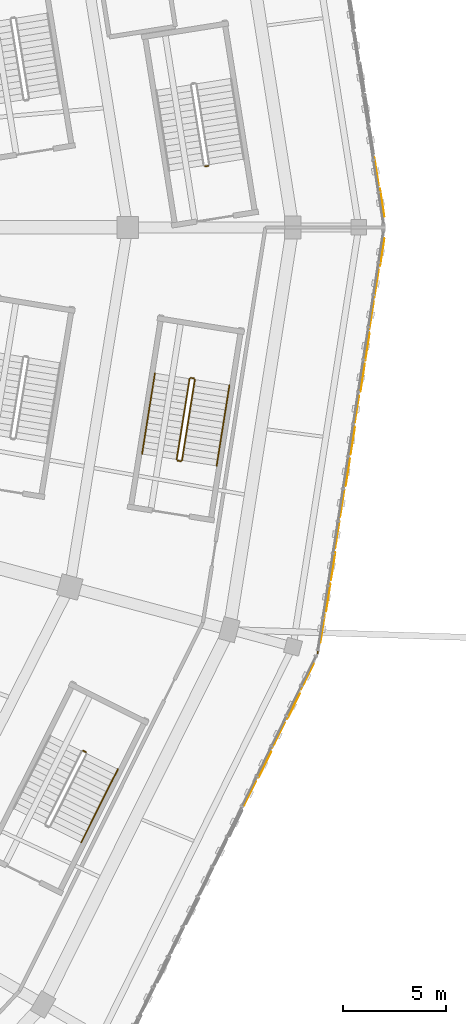
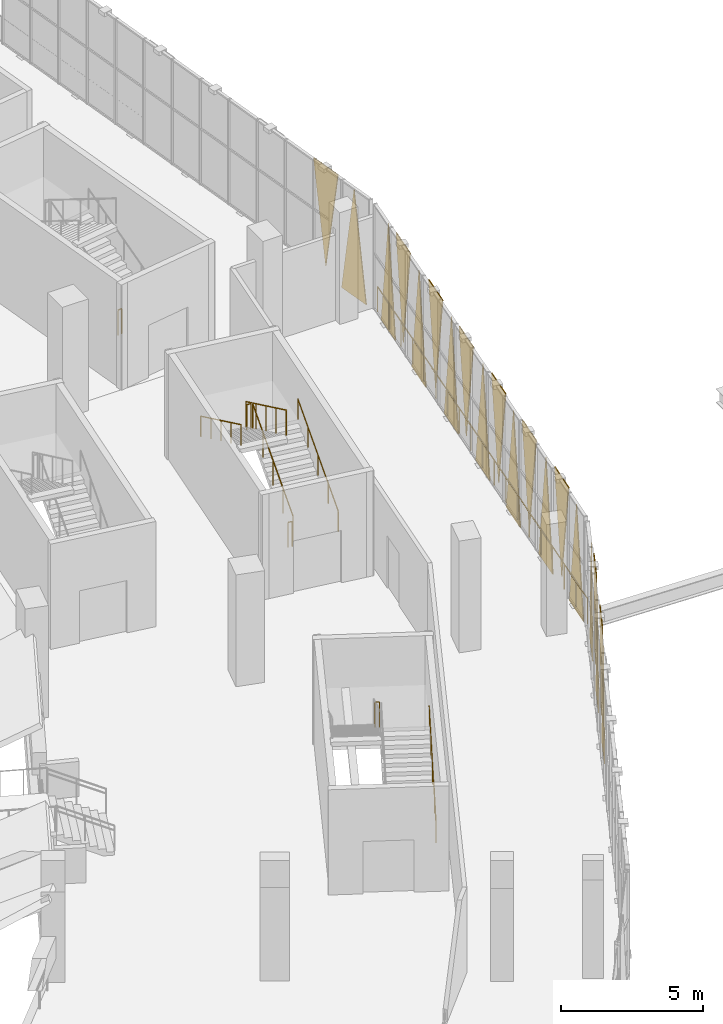
# One storey, part 154 of 183: 20 coverings, 10 railings.
"""IFC4 building model written with IfcOpenShell, lengths in metres."""

from ifc_helpers import new_model, si_unit, direction, frame, origin, origin_2d, place, context, subcontext, project, spatial, polyline, circle, outline, extrude, material, layer, layer_set, type_object, element, save


model = new_model("IFC4")

# Units and contexts
model_context = context("Model", 3, precision=1e-05, world=origin(), true_north=direction((0.0, 1.0)))
body_context = subcontext(model_context, "Body", "Model", "MODEL_VIEW")
ifc_project = project(units=[si_unit("LENGTHUNIT", "METRE"), si_unit("AREAUNIT", "SQUARE_METRE"), si_unit("VOLUMEUNIT", "CUBIC_METRE"), si_unit("PLANEANGLEUNIT", "RADIAN"), si_unit("MASSUNIT", "GRAM", prefix="KILO")], contexts=[model_context])

# Site, building, storey
site_placement = place(None, origin())
site = spatial("IfcSite", under=ifc_project, at=site_placement, CompositionType="ELEMENT")
building_placement = place(site_placement, origin())
building = spatial("IfcBuilding", under=site, at=building_placement, Name="Zevraka Park Crest Stadium", CompositionType="ELEMENT")
storey_placement = place(building_placement, frame((0.0, 0.0, 5.39990234375)))
storey = spatial("IfcBuildingStorey", under=building, at=storey_placement, Name="L01", CompositionType="ELEMENT", Elevation=5.39990234375)

# Coverings
ifc_material_1 = material(Name="Architectural golden-bronze perforated aluminium", Category="aluminium")
ifc_layer = layer(ifc_material_1, 0.034912109375)
ifc_layer_set = layer_set([ifc_layer], Name="Architectural golden-bronze perforated aluminium")
covering_type = type_object("IfcCoveringType", Name="CLD01", PredefinedType="CLADDING", material=ifc_layer_set)
covering_1_placement = place(storey_placement, frame((206.718017578125, 92.52392578125, -0.260009765625), z_axis=(-0.987977392493, -0.154598362367, 0.000135189612), x_axis=(-0.15459836378, 0.987977401521, 0.0)))
element("IfcCovering", 1, at=covering_1_placement, inside=storey, type_object=covering_type, Name="Triangular Golden-Bronze Perforated Cladding L01-00-1", PredefinedType="CLADDING", context=body_context, shape_type="SweptSolid", body=[
    extrude(outline(polyline([(0.0, 0.0), (1.3786353258463413, 3.3881317890172014e-21), (0.6893439062804244, -4.600097698286224), (0.0, 0.0)])), origin(), (0.0, 0.0, -1.0), 0.034912109375),
])
covering_2_placement = place(storey_placement, frame((206.26708984375, 95.406005859375, 4.5), z_axis=(0.988004428823, 0.15442549954, 0.000117126161), x_axis=(0.154425500599, -0.9880044356, 0.0)))
element("IfcCovering", 2, at=covering_2_placement, inside=storey, type_object=covering_type, Name="Triangular Golden-Bronze Perforated Cladding L01-00-2", PredefinedType="CLADDING", context=body_context, shape_type="SweptSolid", body=[
    extrude(outline(polyline([(0.0, 0.0), (1.378597603206358, 0.0), (0.6892535986694385, 4.2797851856061975), (0.0, 0.0)])), origin(), (0.0, 0.0, -1.0), 0.034912109375),
])
covering_3_placement = place(storey_placement, frame((199.9169921875, 63.922119140625, -0.260009765625), z_axis=(0.897363344103, -0.441292429655, 0.000142092747), x_axis=(0.441292434109, 0.897363353162, 0.0)))
element("IfcCovering", 3, at=covering_3_placement, inside=storey, type_object=covering_type, Name="Triangular Golden-Bronze Perforated Cladding L01-22-9", PredefinedType="CLADDING", context=body_context, shape_type="SweptSolid", body=[
    extrude(outline(polyline([(0.0, 0.0), (1.420720312745091, -1.3552527156068805e-20), (0.710582847250989, 4.600097702688788), (0.0, 0.0)])), origin(), (0.0, 0.0, -1.0), 0.034912109375),
])
covering_4_placement = place(storey_placement, frame((201.241943359375, 66.614990234375, 4.5), z_axis=(-0.897229366489, 0.441564778295, 0.000102365016), x_axis=(-0.441564780609, -0.89722937119, 0.0)))
element("IfcCovering", 4, at=covering_4_placement, inside=storey, type_object=covering_type, Name="Triangular Golden-Bronze Perforated Cladding L01-22-10", PredefinedType="CLADDING", context=body_context, shape_type="SweptSolid", body=[
    extrude(outline(polyline([(0.0, 0.0), (1.4198440467462223, 6.776263578034403e-21), (0.7101376311761427, -4.2797851786730705), (0.0, 0.0)])), origin(), (0.0, 0.0, -1.0), 0.034912109375),
])
covering_5_placement = place(storey_placement, frame((201.31298828125, 66.759033203125, -0.260009765625), z_axis=(0.89736335211, -0.441292433592, 4.8410033e-05), x_axis=(0.441292434109, 0.897363353162, 0.0)))
element("IfcCovering", 5, at=covering_5_placement, inside=storey, type_object=covering_type, Name="Triangular Golden-Bronze Perforated Cladding L01-22-11", PredefinedType="CLADDING", context=body_context, shape_type="SweptSolid", body=[
    extrude(outline(polyline([(0.0, 0.0), (1.420720312745091, 0.0), (0.709706515851417, 4.600097661640237), (0.0, 0.0)])), origin(), (0.0, 0.0, -1.0), 0.034912109375),
])
covering_6_placement = place(storey_placement, frame((202.637939453125, 69.451904296875, 4.5), z_axis=(-0.897363342696, 0.441292428963, 0.000152727413), x_axis=(-0.441292434109, -0.897363353162, 0.0)))
element("IfcCovering", 6, at=covering_6_placement, inside=storey, type_object=covering_type, Name="Triangular Golden-Bronze Perforated Cladding L01-22-12", PredefinedType="CLADDING", context=body_context, shape_type="SweptSolid", body=[
    extrude(outline(polyline([(0.0, 0.0), (1.420720312745091, 1.3552527156068805e-20), (0.710137465494102, -4.279785206164413), (0.0, 0.0)])), origin(), (0.0, 0.0, -1.0), 0.034912109375),
])
covering_7_placement = place(storey_placement, frame((202.708984375, 69.595947265625, -0.260009765625), z_axis=(0.897262886806, -0.441496664748, 8.3524968e-05), x_axis=(0.441496666288, 0.897262889936, 0.0)))
element("IfcCovering", 7, at=covering_7_placement, inside=storey, type_object=covering_type, Name="Triangular Golden-Bronze Perforated Cladding L01-22-13", PredefinedType="CLADDING", context=body_context, shape_type="SweptSolid", body=[
    extrude(outline(polyline([(0.0, 0.0), (1.4200631009776323, 0.0), (0.7097064467833611, 4.600097672296107), (0.0, 0.0)])), origin(), (0.0, 0.0, -1.0), 0.034912109375),
])
covering_8_placement = place(storey_placement, frame((203.652099609375, 71.8701171875, -0.260009765625), z_axis=(0.988000205868, -0.154452524116, 0.000104872116), x_axis=(0.154452524965, 0.988000211302, 0.0)))
element("IfcCovering", 8, at=covering_8_placement, inside=storey, type_object=covering_type, Name="Triangular Golden-Bronze Perforated Cladding L01-23-1", PredefinedType="CLADDING", context=body_context, shape_type="SweptSolid", body=[
    extrude(outline(polyline([(0.0, 0.0), (1.3783563917015642, -3.3881317890172014e-21), (0.6891027795788266, 4.600097681546307), (0.0, 0.0)])), origin(), (0.0, 0.0, -1.0), 0.034912109375),
])
covering_9_placement = place(storey_placement, frame((204.10302734375, 74.751953125, 4.5), z_axis=(-0.987977397613, 0.154598363168, 8.894839e-05), x_axis=(-0.15459836378, -0.987977401521, 0.0)))
element("IfcCovering", 9, at=covering_9_placement, inside=storey, type_object=covering_type, Name="Triangular Golden-Bronze Perforated Cladding L01-23-2", PredefinedType="CLADDING", context=body_context, shape_type="SweptSolid", body=[
    extrude(outline(polyline([(0.0, 0.0), (1.3786353258463413, 0.0), (0.6892536758247599, -4.279785173180437), (0.0, 0.0)])), origin(), (0.0, 0.0, -1.0), 0.034912109375),
])
covering_10_placement = place(storey_placement, frame((204.126953125, 74.909912109375, -0.260009765625), z_axis=(-0.98799431223, 0.154490244416, 5.8155496e-05), x_axis=(0.154490244678, 0.9879943139, 0.0)))
element("IfcCovering", 10, at=covering_10_placement, inside=storey, type_object=covering_type, Name="Triangular Golden-Bronze Perforated Cladding L01-23-3", PredefinedType="CLADDING", context=body_context, shape_type="SweptSolid", body=[
    extrude(outline(polyline([(0.0, 0.0), (1.3796001557884008, 0.0), (0.6904596777847686, -4.600097664028908), (0.0, 0.0)])), origin(), (0.0, 0.0, -1.0), 0.034912109375),
])
covering_11_placement = place(storey_placement, frame((204.577880859375, 77.79296875, 4.5), z_axis=(0.988004429804, -0.154425499693, 0.000108316949), x_axis=(-0.154425500599, -0.9880044356, 0.0)))
element("IfcCovering", 11, at=covering_11_placement, inside=storey, type_object=covering_type, Name="Triangular Golden-Bronze Perforated Cladding L01-23-4", PredefinedType="CLADDING", context=body_context, shape_type="SweptSolid", body=[
    extrude(outline(polyline([(0.0, 0.0), (1.378597603206358, 0.0), (0.6891027925165095, 4.279785181356422), (0.0, 0.0)])), origin(), (0.0, 0.0, -1.0), 0.034912109375),
])
covering_12_placement = place(storey_placement, frame((204.60302734375, 77.950927734375, -0.260009765625), z_axis=(0.988004429734, -0.154425499682, 0.000108970471), x_axis=(0.154425500599, 0.9880044356, 0.0)))
element("IfcCovering", 12, at=covering_12_placement, inside=storey, type_object=covering_type, Name="Triangular Golden-Bronze Perforated Cladding L01-23-5", PredefinedType="CLADDING", context=body_context, shape_type="SweptSolid", body=[
    extrude(outline(polyline([(0.0, 0.0), (1.378597603206358, 0.0), (0.6893440045369196, 4.600097683562077), (0.0, 0.0)])), origin(), (0.0, 0.0, -1.0), 0.034912109375),
])
covering_13_placement = place(storey_placement, frame((205.053955078125, 80.833984375, 4.5), z_axis=(-0.988021301672, 0.154317495085, 0.000134731109), x_axis=(-0.154317496485, -0.98802131064, 0.0)))
element("IfcCovering", 13, at=covering_13_placement, inside=storey, type_object=covering_type, Name="Triangular Golden-Bronze Perforated Cladding L01-23-6", PredefinedType="CLADDING", context=body_context, shape_type="SweptSolid", body=[
    extrude(outline(polyline([(0.0, 0.0), (1.3795624595306466, 6.776263578034403e-21), (0.6892535397546717, -4.27978519509434), (0.0, 0.0)])), origin(), (0.0, 0.0, -1.0), 0.034912109375),
])
covering_14_placement = place(storey_placement, frame((205.077880859375, 80.991943359375, -0.260009765625), z_axis=(-0.987868977422, 0.15528967435, 2.2093708e-05), x_axis=(0.155289674388, 0.987868977663, 0.0)))
element("IfcCovering", 14, at=covering_14_placement, inside=storey, type_object=covering_type, Name="Triangular Golden-Bronze Perforated Cladding L01-23-7", PredefinedType="CLADDING", context=body_context, shape_type="SweptSolid", body=[
    extrude(outline(polyline([(0.0, 0.0), (1.3787866383835012, -8.470329472543003e-22), (0.6895328649256435, -4.600097657372728), (0.0, 0.0)])), origin(), (0.0, 0.0, -1.0), 0.034912109375),
])
covering_15_placement = place(storey_placement, frame((205.529052734375, 83.875, 4.5), z_axis=(0.987994302166, -0.154490242843, 0.000154119859), x_axis=(-0.154490244678, -0.9879943139, 0.0)))
element("IfcCovering", 15, at=covering_15_placement, inside=storey, type_object=covering_type, Name="Triangular Golden-Bronze Perforated Cladding L01-23-8", PredefinedType="CLADDING", context=body_context, shape_type="SweptSolid", body=[
    extrude(outline(polyline([(0.0, 0.0), (1.3796001557884008, -6.776263578034403e-21), (0.6900675988559086, 4.279785207078722), (0.0, 0.0)])), origin(), (0.0, 0.0, -1.0), 0.034912109375),
])
covering_16_placement = place(storey_placement, frame((205.553955078125, 84.032958984375, -0.260009765625), z_axis=(-0.987977398776, 0.15459836335, 7.4549778e-05), x_axis=(0.15459836378, 0.987977401521, 0.0)))
element("IfcCovering", 16, at=covering_16_placement, inside=storey, type_object=covering_type, Name="Triangular Golden-Bronze Perforated Cladding L01-23-9", PredefinedType="CLADDING", context=body_context, shape_type="SweptSolid", body=[
    extrude(outline(polyline([(0.0, 0.0), (1.3786353258463413, 0.0), (0.6894948812450532, -4.600097669032912), (0.0, 0.0)])), origin(), (0.0, 0.0, -1.0), 0.034912109375),
])
covering_17_placement = place(storey_placement, frame((206.0048828125, 86.9150390625, 4.5), z_axis=(-0.988004429804, 0.154425499693, 0.000108316949), x_axis=(-0.154425500599, -0.9880044356, 0.0)))
element("IfcCovering", 17, at=covering_17_placement, inside=storey, type_object=covering_type, Name="Triangular Golden-Bronze Perforated Cladding L01-23-10", PredefinedType="CLADDING", context=body_context, shape_type="SweptSolid", body=[
    extrude(outline(polyline([(0.0, 0.0), (1.378597603206358, 0.0), (0.6894948106898485, -4.279785181356422), (0.0, 0.0)])), origin(), (0.0, 0.0, -1.0), 0.034912109375),
])
covering_18_placement = place(storey_placement, frame((206.030029296875, 87.072998046875, -0.260009765625), z_axis=(0.988021307121, -0.154317495936, 8.4399155e-05), x_axis=(0.154317496485, 0.98802131064, 0.0)))
element("IfcCovering", 18, at=covering_18_placement, inside=storey, type_object=covering_type, Name="Triangular Golden-Bronze Perforated Cladding L01-23-11", PredefinedType="CLADDING", context=body_context, shape_type="SweptSolid", body=[
    extrude(outline(polyline([(0.0, 0.0), (1.3795624595306466, 0.0), (0.6891028390745102, 4.600097672633749), (0.0, 0.0)])), origin(), (0.0, 0.0, -1.0), 0.034912109375),
])
covering_19_placement = place(storey_placement, frame((206.47998046875, 89.9560546875, 4.5), z_axis=(0.988004428823, -0.15442549954, 0.000117126161), x_axis=(-0.154425500599, -0.9880044356, 0.0)))
element("IfcCovering", 19, at=covering_19_placement, inside=storey, type_object=covering_type, Name="Triangular Golden-Bronze Perforated Cladding L01-23-12", PredefinedType="CLADDING", context=body_context, shape_type="SweptSolid", body=[
    extrude(outline(polyline([(0.0, 0.0), (1.378597603206358, 0.0), (0.6893440045369196, 4.2797851856061975), (0.0, 0.0)])), origin(), (0.0, 0.0, -1.0), 0.034912109375),
])
covering_20_placement = place(storey_placement, frame((206.5048828125, 90.114013671875, -0.260009765625), z_axis=(-0.987977392493, 0.154598362367, 0.000135189612), x_axis=(0.15459836378, 0.987977401521, 0.0)))
element("IfcCovering", 20, at=covering_20_placement, inside=storey, type_object=covering_type, Name="Triangular Golden-Bronze Perforated Cladding L01-23-13", PredefinedType="CLADDING", context=body_context, shape_type="SweptSolid", body=[
    extrude(outline(polyline([(0.0, 0.0), (1.3786353258463413, -3.3881317890172014e-21), (0.6892914195659171, -4.600097698286224), (0.0, 0.0)])), origin(), (0.0, 0.0, -1.0), 0.034912109375),
])

# Railings
ifc_material_2 = material(Name="Galvanised and bronze-finished steel balustrade", Category="steel")
railing_type_1 = type_object("IfcRailingType", Name="GR01", PredefinedType="GUARDRAIL", material=ifc_material_2)
railing_1_placement = place(storey_placement, frame((206.673095703125, 91.639892578125, 0.0)))
element("IfcRailing", 21, at=railing_1_placement, inside=storey, type_object=railing_type_1, Name="Deck Edge Protection Guardrail GR01 L01-22", PredefinedType="GUARDRAIL", context=body_context, shape_type="SweptSolid", body=[
    extrude(circle(Radius=0.02392578125, at=origin_2d()), frame((0.0, 0.0, 1.076171875), z_axis=(-0.154543109809, -0.987986046061, 0.0), x_axis=(0.987986046061, -0.154543109809, 0.0)), (0.0, 0.0, 1.0), 20.51953125),
    extrude(circle(Radius=0.02099609375, at=origin_2d()), origin(), (0.0, 0.0, 1.0), 1.052001953125),
    extrude(circle(Radius=0.02099609375, at=origin_2d()), frame((-0.17626953125, -1.126220703125, 0.0)), (0.0, 0.0, 1.0), 1.052001953125),
    extrude(circle(Radius=0.02099609375, at=origin_2d()), frame((-0.352294921875, -2.25244140625, 0.0)), (0.0, 0.0, 1.0), 1.052001953125),
    extrude(circle(Radius=0.02099609375, at=origin_2d()), frame((-0.528564453125, -3.37890625, 0.0)), (0.0, 0.0, 1.0), 1.052001953125),
    extrude(circle(Radius=0.02099609375, at=origin_2d()), frame((-0.70458984375, -4.505126953125, 0.0)), (0.0, 0.0, 1.0), 1.052001953125),
    extrude(circle(Radius=0.02099609375, at=origin_2d()), frame((-0.880859375, -5.63134765625, 0.0)), (0.0, 0.0, 1.0), 1.052001953125),
    extrude(circle(Radius=0.02099609375, at=origin_2d()), frame((-1.05712890625, -6.757568359375, 0.0)), (0.0, 0.0, 1.0), 1.052001953125),
    extrude(circle(Radius=0.02099609375, at=origin_2d()), frame((-1.233154296875, -7.884033203125, 0.0)), (0.0, 0.0, 1.0), 1.052001953125),
    extrude(circle(Radius=0.02099609375, at=origin_2d()), frame((-1.409423828125, -9.01025390625, 0.0)), (0.0, 0.0, 1.0), 1.052001953125),
    extrude(circle(Radius=0.02099609375, at=origin_2d()), frame((-1.58544921875, -10.136474609375, 0.0)), (0.0, 0.0, 1.0), 1.052001953125),
    extrude(circle(Radius=0.02099609375, at=origin_2d()), frame((-1.76171875, -11.2626953125, 0.0)), (0.0, 0.0, 1.0), 1.052001953125),
    extrude(circle(Radius=0.02099609375, at=origin_2d()), frame((-1.93798828125, -12.388916015625, 0.0)), (0.0, 0.0, 1.0), 1.052001953125),
    extrude(circle(Radius=0.02099609375, at=origin_2d()), frame((-2.114013671875, -13.515380859375, 0.0)), (0.0, 0.0, 1.0), 1.052001953125),
    extrude(circle(Radius=0.02099609375, at=origin_2d()), frame((-2.290283203125, -14.6416015625, 0.0)), (0.0, 0.0, 1.0), 1.052001953125),
    extrude(circle(Radius=0.02099609375, at=origin_2d()), frame((-2.466552734375, -15.767822265625, 0.0)), (0.0, 0.0, 1.0), 1.052001953125),
    extrude(circle(Radius=0.02099609375, at=origin_2d()), frame((-2.642578125, -16.89404296875, 0.0)), (0.0, 0.0, 1.0), 1.052001953125),
    extrude(circle(Radius=0.02099609375, at=origin_2d()), frame((-2.81884765625, -18.0205078125, 0.0)), (0.0, 0.0, 1.0), 1.052001953125),
    extrude(circle(Radius=0.02099609375, at=origin_2d()), frame((-2.994873046875, -19.146728515625, 0.0)), (0.0, 0.0, 1.0), 1.052001953125),
    extrude(circle(Radius=0.02099609375, at=origin_2d()), frame((-3.171142578125, -20.27294921875, 0.0)), (0.0, 0.0, 1.0), 1.052001953125),
])
ifc_material_3 = material(Name="Powder-coated tubular steel stairwell guard", Category="steel")
railing_type_2 = type_object("IfcRailingType", Name="GR03", PredefinedType="GUARDRAIL", material=ifc_material_3)
railing_2_placement = place(storey_placement, frame((198.205078125, 94.982421875, 0.0)))
element("IfcRailing", 22, at=railing_2_placement, inside=storey, type_object=railing_type_2, Name="L01 ST01 stair guard 4", PredefinedType="GUARDRAIL", context=body_context, shape_type="SweptSolid", body=[
    extrude(circle(Radius=0.02392578125, at=origin_2d()), frame((0.0, 0.0, 1.076171875), z_axis=(-0.987564153079, -0.157216549872, 0.0), x_axis=(0.157216549872, -0.987564153079, 0.0)), (0.0, 0.0, 1.0), 0.159912109375),
    extrude(circle(Radius=0.02099609375, at=origin_2d()), origin(), (0.0, 0.0, 1.0), 1.052001953125),
    extrude(circle(Radius=0.02099609375, at=origin_2d()), frame((-0.157958984375, -0.025146484375, 0.0)), (0.0, 0.0, 1.0), 1.052001953125),
])
railing_3_placement = place(storey_placement, frame((192.285888671875, 66.5771484375, 2.400146484375)))
element("IfcRailing", 23, at=railing_3_placement, inside=storey, type_object=railing_type_2, Name="L01 ST23 stair guard 2", PredefinedType="GUARDRAIL", context=body_context, shape_type="SweptSolid", body=[
    extrude(circle(Radius=0.02392578125, at=origin_2d()), frame((0.0, 0.0, 1.076171875), z_axis=(-0.893816245171, 0.44843340628, 0.0), x_axis=(-0.44843340628, -0.893816245171, 0.0)), (0.0, 0.0, 1.0), 0.16015625),
    extrude(circle(Radius=0.02099609375, at=origin_2d()), origin(), (0.0, 0.0, 1.0), 1.052001953125),
    extrude(circle(Radius=0.02099609375, at=origin_2d()), frame((-0.14306640625, 0.07177734375, 0.0)), (0.0, 0.0, 1.0), 1.052001953125),
])
railing_4_placement = place(storey_placement, frame((196.933837890625, 80.714111328125, 0.171630859375)))
element("IfcRailing", 24, at=railing_4_placement, inside=storey, type_object=railing_type_2, Name="L01 ST24 stair guard 1", PredefinedType="GUARDRAIL", context=body_context, shape_type="SweptSolid", body=[
    extrude(circle(Radius=0.02392578125, at=origin_2d()), frame((0.0, 0.0, 1.076171875), z_axis=(0.13708756972, 0.860903496765, 0.489951188881), x_axis=(-0.987557931786, 0.157255624277, 0.0)), (0.0, 0.0, 1.0), 4.54833984375),
    extrude(circle(Radius=0.02099609375, at=origin_2d()), origin(), (0.0, 0.0, 1.0), 1.052001953125),
    extrude(circle(Radius=0.02099609375, at=origin_2d()), frame((0.15576171875, 0.97900390625, 0.55712890625)), (0.0, 0.0, 1.0), 1.052001953125),
    extrude(circle(Radius=0.02099609375, at=origin_2d()), frame((0.311767578125, 1.9580078125, 1.1142578125)), (0.0, 0.0, 1.0), 1.052001953125),
    extrude(circle(Radius=0.02099609375, at=origin_2d()), frame((0.4677734375, 2.936767578125, 1.67138671875)), (0.0, 0.0, 1.0), 1.052001953125),
    extrude(circle(Radius=0.02099609375, at=origin_2d()), frame((0.62353515625, 3.915771484375, 2.228515625)), (0.0, 0.0, 1.0), 1.052001953125),
])
railing_5_placement = place(storey_placement, frame((197.515869140625, 84.68701171875, 2.400146484375)))
element("IfcRailing", 25, at=railing_5_placement, inside=storey, type_object=railing_type_2, Name="L01 ST24 stair guard 2", PredefinedType="GUARDRAIL", context=body_context, shape_type="SweptSolid", body=[
    extrude(circle(Radius=0.02392578125, at=origin_2d()), frame((0.0, 0.0, 1.076171875), z_axis=(-0.987564153079, 0.157216549872, 0.0), x_axis=(-0.157216549872, -0.987564153079, 0.0)), (0.0, 0.0, 1.0), 0.159912109375),
    extrude(circle(Radius=0.02099609375, at=origin_2d()), origin(), (0.0, 0.0, 1.0), 1.052001953125),
    extrude(circle(Radius=0.02099609375, at=origin_2d()), frame((-0.157958984375, 0.025146484375, 0.0)), (0.0, 0.0, 1.0), 1.052001953125),
])
railing_6_placement = place(storey_placement, frame((197.30078125, 84.670654296875, 2.571533203125)))
element("IfcRailing", 26, at=railing_6_placement, inside=storey, type_object=railing_type_2, Name="L01 ST24 stair guard 3", PredefinedType="GUARDRAIL", context=body_context, shape_type="SweptSolid", body=[
    extrude(circle(Radius=0.02392578125, at=origin_2d()), frame((0.0, 0.0, 1.076171875), z_axis=(-0.13708756972, -0.860903496765, 0.489951188881), x_axis=(0.987557931786, -0.157255624277, 0.0)), (0.0, 0.0, 1.0), 4.54833984375),
    extrude(circle(Radius=0.02099609375, at=origin_2d()), origin(), (0.0, 0.0, 1.0), 1.052001953125),
    extrude(circle(Radius=0.02099609375, at=origin_2d()), frame((-0.15576171875, -0.97900390625, 0.55712890625)), (0.0, 0.0, 1.0), 1.052001953125),
    extrude(circle(Radius=0.02099609375, at=origin_2d()), frame((-0.311767578125, -1.9580078125, 1.1142578125)), (0.0, 0.0, 1.0), 1.052001953125),
    extrude(circle(Radius=0.02099609375, at=origin_2d()), frame((-0.4677734375, -2.936767578125, 1.67138671875)), (0.0, 0.0, 1.0), 1.052001953125),
    extrude(circle(Radius=0.02099609375, at=origin_2d()), frame((-0.62353515625, -3.915771484375, 2.228515625)), (0.0, 0.0, 1.0), 1.052001953125),
])
railing_7_placement = place(storey_placement, frame((196.876708984375, 80.672607421875, 0.0)))
element("IfcRailing", 27, at=railing_7_placement, inside=storey, type_object=railing_type_2, Name="L01 ST24 stair guard 4", PredefinedType="GUARDRAIL", context=body_context, shape_type="SweptSolid", body=[
    extrude(circle(Radius=0.02392578125, at=origin_2d()), frame((0.0, 0.0, 1.076171875), z_axis=(-0.987564153079, 0.157216549872, 0.0), x_axis=(-0.157216549872, -0.987564153079, 0.0)), (0.0, 0.0, 1.0), 0.159912109375),
    extrude(circle(Radius=0.02099609375, at=origin_2d()), origin(), (0.0, 0.0, 1.0), 1.052001953125),
    extrude(circle(Radius=0.02099609375, at=origin_2d()), frame((-0.157958984375, 0.025146484375, 0.0)), (0.0, 0.0, 1.0), 1.052001953125),
])
ifc_material_4 = material(Name="Brushed stainless steel continuous handrail", Category="steel")
railing_type_3 = type_object("IfcRailingType", Name="HR01", PredefinedType="HANDRAIL", material=ifc_material_4)
railing_8_placement = place(storey_placement, frame((192.052001953125, 62.20361328125, 0.171630859375)))
element("IfcRailing", 28, at=railing_8_placement, inside=storey, type_object=railing_type_3, Name="L01 ST23 stair handrail 1", PredefinedType="HANDRAIL", context=body_context, shape_type="SweptSolid", body=[
    extrude(circle(Radius=0.02392578125, at=origin_2d()), frame((0.0, 0.0, 0.8759765625), z_axis=(0.390499471061, 0.779388635026, 0.489962772763), x_axis=(-0.894057440576, 0.447952333346, 0.0)), (0.0, 0.0, 1.0), 4.54833984375),
    extrude(circle(Radius=0.02099609375, at=origin_2d()), origin(), (0.0, 0.0, 1.0), 0.851806640625),
    extrude(circle(Radius=0.02099609375, at=origin_2d()), frame((0.444091796875, 0.88623046875, 0.55712890625)), (0.0, 0.0, 1.0), 0.851806640625),
    extrude(circle(Radius=0.02099609375, at=origin_2d()), frame((0.88818359375, 1.7724609375, 1.1142578125)), (0.0, 0.0, 1.0), 0.851806640625),
    extrude(circle(Radius=0.02099609375, at=origin_2d()), frame((1.33203125, 2.65869140625, 1.67138671875)), (0.0, 0.0, 1.0), 0.851806640625),
    extrude(circle(Radius=0.02099609375, at=origin_2d()), frame((1.776123046875, 3.544921875, 2.228515625)), (0.0, 0.0, 1.0), 0.851806640625),
])
railing_9_placement = place(storey_placement, frame((198.61279296875, 80.44677734375, 0.171630859375)))
element("IfcRailing", 29, at=railing_9_placement, inside=storey, type_object=railing_type_3, Name="L01 ST24 stair handrail 1", PredefinedType="HANDRAIL", context=body_context, shape_type="SweptSolid", body=[
    extrude(circle(Radius=0.02392578125, at=origin_2d()), frame((0.0, 0.0, 0.8759765625), z_axis=(0.137093904715, 0.860889602123, 0.489973830165), x_axis=(-0.987556409005, 0.157265186968, 0.0)), (0.0, 0.0, 1.0), 4.54833984375),
    extrude(circle(Radius=0.02099609375, at=origin_2d()), origin(), (0.0, 0.0, 1.0), 0.851806640625),
    extrude(circle(Radius=0.02099609375, at=origin_2d()), frame((0.15576171875, 0.97900390625, 0.55712890625)), (0.0, 0.0, 1.0), 0.851806640625),
    extrude(circle(Radius=0.02099609375, at=origin_2d()), frame((0.311767578125, 1.957763671875, 1.1142578125)), (0.0, 0.0, 1.0), 0.851806640625),
    extrude(circle(Radius=0.02099609375, at=origin_2d()), frame((0.4677734375, 2.9365234375, 1.67138671875)), (0.0, 0.0, 1.0), 0.851806640625),
    extrude(circle(Radius=0.02099609375, at=origin_2d()), frame((0.62353515625, 3.91552734375, 2.228515625)), (0.0, 0.0, 1.0), 0.851806640625),
])
railing_10_placement = place(storey_placement, frame((195.621826171875, 84.93798828125, 2.571533203125)))
element("IfcRailing", 30, at=railing_10_placement, inside=storey, type_object=railing_type_3, Name="L01 ST24 stair handrail 2", PredefinedType="HANDRAIL", context=body_context, shape_type="SweptSolid", body=[
    extrude(circle(Radius=0.02392578125, at=origin_2d()), frame((0.0, 0.0, 0.8759765625), z_axis=(-0.13708756972, -0.860903496765, 0.489951188881), x_axis=(0.987557931786, -0.157255624277, 0.0)), (0.0, 0.0, 1.0), 4.54833984375),
    extrude(circle(Radius=0.02099609375, at=origin_2d()), origin(), (0.0, 0.0, 1.0), 0.851806640625),
    extrude(circle(Radius=0.02099609375, at=origin_2d()), frame((-0.15576171875, -0.97900390625, 0.55712890625)), (0.0, 0.0, 1.0), 0.851806640625),
    extrude(circle(Radius=0.02099609375, at=origin_2d()), frame((-0.311767578125, -1.9580078125, 1.1142578125)), (0.0, 0.0, 1.0), 0.851806640625),
    extrude(circle(Radius=0.02099609375, at=origin_2d()), frame((-0.4677734375, -2.936767578125, 1.67138671875)), (0.0, 0.0, 1.0), 0.851806640625),
    extrude(circle(Radius=0.02099609375, at=origin_2d()), frame((-0.62353515625, -3.915771484375, 2.228515625)), (0.0, 0.0, 1.0), 0.851806640625),
])

save(model, "model.ifc")
